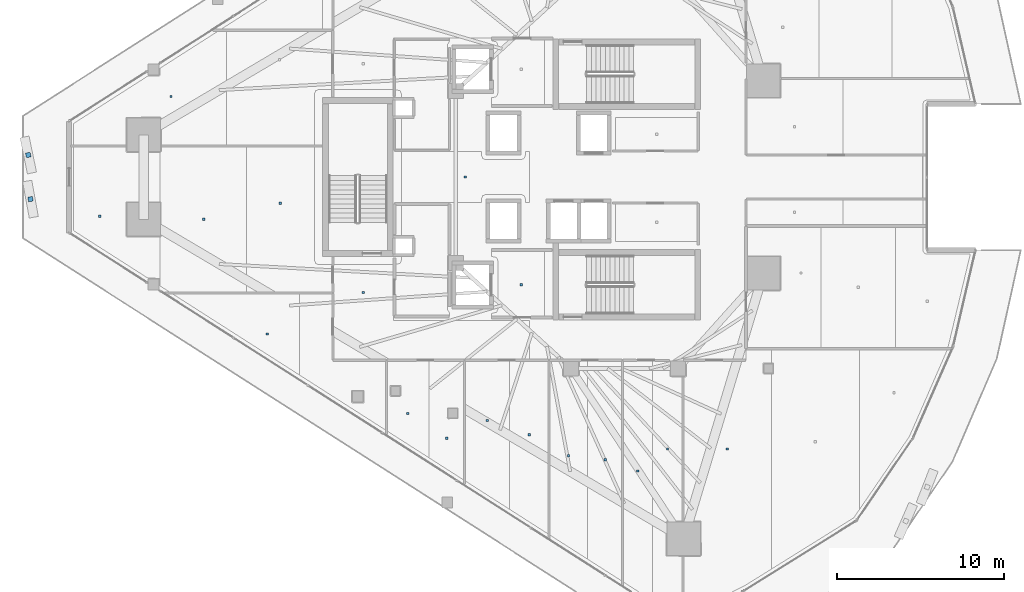
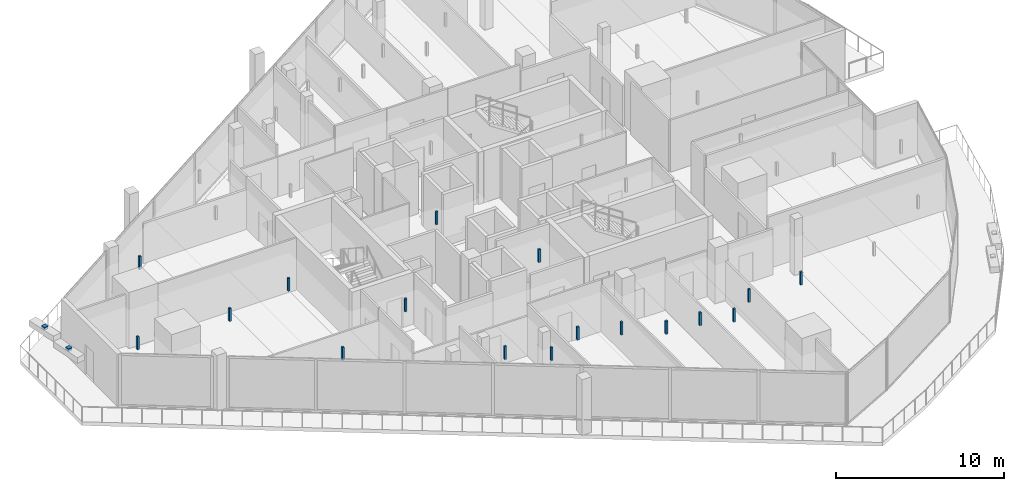
# One storey, part 25 of 33: 19 discrete accessories.
"""IFC4 building model written with IfcOpenShell, lengths in metres."""

from ifc_helpers import new_model, si_unit, direction, frame, origin, origin_2d, place, context, subcontext, project, spatial, rectangle, extrude, material, type_object, element, save


model = new_model("IFC4")

# Units and contexts
model_context = context("Model", 3, precision=1e-05, world=origin(), true_north=direction((0.0, 1.0)))
body_context = subcontext(model_context, "Body", "Model", "MODEL_VIEW")
ifc_project = project(units=[si_unit("LENGTHUNIT", "METRE"), si_unit("AREAUNIT", "SQUARE_METRE"), si_unit("VOLUMEUNIT", "CUBIC_METRE"), si_unit("PLANEANGLEUNIT", "RADIAN"), si_unit("MASSUNIT", "GRAM", prefix="KILO")], contexts=[model_context])

# Site, building, storey
site_placement = place(None, origin())
site = spatial("IfcSite", under=ifc_project, at=site_placement, CompositionType="ELEMENT")
building_placement = place(site_placement, origin())
building = spatial("IfcBuilding", under=site, at=building_placement, Name="Qorvath Tower", CompositionType="ELEMENT")
storey_placement = place(building_placement, frame((0.0, 0.0, 209.10009765625)))
storey = spatial("IfcBuildingStorey", under=building, at=storey_placement, Name="L48", CompositionType="ELEMENT", Elevation=209.10009765625)

# Discrete accessories
ifc_material = material(Name="Galvanised steel bracket", Category="steel")
discrete_accessory_type = type_object("IfcDiscreteAccessoryType", Name="DA-BRACKET", PredefinedType="BRACKET", material=ifc_material)
for number, where, z_axis, x_axis, name in (
    (1, (-56.076416015625, 1.320556640625, 3.6396484375), (0.0, 0.0, 1.0), (0.203361506703, -0.97910372157, 0.0), "Louvre Wave Support Bracket L48-01"),
    (2, (-55.94189453125, -1.320556640625, 3.6396484375), (0.0, 0.0, 1.0), (0.179674484018, -0.983726120316, 0.0), "Louvre Wave Support Bracket L48-02"),
):
    element("IfcDiscreteAccessory", number, at=place(storey_placement, frame(where, z_axis=z_axis, x_axis=x_axis)), inside=storey, type_object=discrete_accessory_type, Name=name, PredefinedType="NOTDEFINED", context=body_context, shape_type="SweptSolid", body=[
        extrude(rectangle(XDim=0.280029296875, YDim=0.280029296875, at=origin_2d()), origin(), (0.0, 0.0, 1.0), 0.199951171875),
    ])
for number, where, z_axis, x_axis, name in (
    (3, (-26.590087890625, -6.449951171875, 2.85986328125), (0.0, 0.0, 1.0), (1.0, 0.0, 0.0), "Acoustic Ceiling Suspension Hanger T1-L48-002"),
    (4, (-36.04150390625, -6.907470703125, 2.85986328125), (0.0, 0.0, 1.0), (1.0, 0.0, 0.0), "Acoustic Ceiling Suspension Hanger T1-L48-007"),
    (5, (-29.927734375, 0.0, 2.85986328125), (0.0, 0.0, 1.0), (1.0, 0.0, 0.0), "Acoustic Ceiling Suspension Hanger T1-L48-009"),
    (6, (-33.37353515625, -14.147705078125, 2.85986328125), (0.0, 0.0, 1.0), (1.0, 0.0, 0.0), "Acoustic Ceiling Suspension Hanger T1-L48-020"),
    (7, (-31.04296875, -15.626220703125, 2.85986328125), (0.0, 0.0, 1.0), (1.0, 0.0, 0.0), "Acoustic Ceiling Suspension Hanger T1-L48-021"),
    (8, (-28.62841796875, -14.560791015625, 2.85986328125), (0.0, 0.0, 1.0), (1.0, 0.0, 0.0), "Acoustic Ceiling Suspension Hanger T1-L48-022"),
    (9, (-26.10693359375, -15.415771484375, 2.85986328125), (0.0, 0.0, 1.0), (1.0, 0.0, 0.0), "Acoustic Ceiling Suspension Hanger T1-L48-023"),
    (10, (-23.75732421875, -16.676513671875, 2.85986328125), (0.0, 0.0, 1.0), (1.0, 0.0, 0.0), "Acoustic Ceiling Suspension Hanger T1-L48-024"),
    (11, (-21.56689453125, -16.91162109375, 2.85986328125), (0.0, 0.0, 1.0), (1.0, 0.0, 0.0), "Acoustic Ceiling Suspension Hanger T1-L48-025"),
    (12, (-19.624755859375, -17.586669921875, 2.85986328125), (0.0, 0.0, 1.0), (1.0, 0.0, 0.0), "Acoustic Ceiling Suspension Hanger T1-L48-026"),
    (13, (-17.83349609375, -16.263671875, 2.85986328125), (0.0, 0.0, 1.0), (1.0, 0.0, 0.0), "Acoustic Ceiling Suspension Hanger T1-L48-027"),
    (14, (-14.268310546875, -16.263671875, 2.85986328125), (0.0, 0.0, 1.0), (1.0, 0.0, 0.0), "Acoustic Ceiling Suspension Hanger T1-L48-028"),
    (15, (-41.779541015625, -9.384033203125, 2.85986328125), (0.0, 0.0, 1.0), (1.0, 0.0, 0.0), "Acoustic Ceiling Suspension Hanger T1-L48-040"),
    (16, (-51.7998046875, -2.34033203125, 2.85986328125), (0.0, 0.0, 1.0), (1.0, 0.0, 0.0), "Acoustic Ceiling Suspension Hanger T1-L48-042"),
    (17, (-45.58203125, -2.52783203125, 2.85986328125), (0.0, 0.0, 1.0), (1.0, 0.0, 0.0), "Acoustic Ceiling Suspension Hanger T1-L48-043"),
    (18, (-40.9921875, -1.571044921875, 2.85986328125), (0.0, 0.0, 1.0), (1.0, 0.0, 0.0), "Acoustic Ceiling Suspension Hanger T1-L48-044"),
    (19, (-47.5341796875, 4.816650390625, 2.85986328125), (0.0, 0.0, 1.0), (1.0, 0.0, 0.0), "Acoustic Ceiling Suspension Hanger T1-L48-045"),
):
    element("IfcDiscreteAccessory", number, at=place(storey_placement, frame(where, z_axis=z_axis, x_axis=x_axis)), inside=storey, type_object=discrete_accessory_type, Name=name, PredefinedType="NOTDEFINED", context=body_context, shape_type="SweptSolid", body=[
        extrude(rectangle(XDim=0.139892578125, YDim=0.139892578125, at=origin_2d()), origin(), (0.0, 0.0, 1.0), 0.949951171875),
    ])

save(model, "model.ifc")
